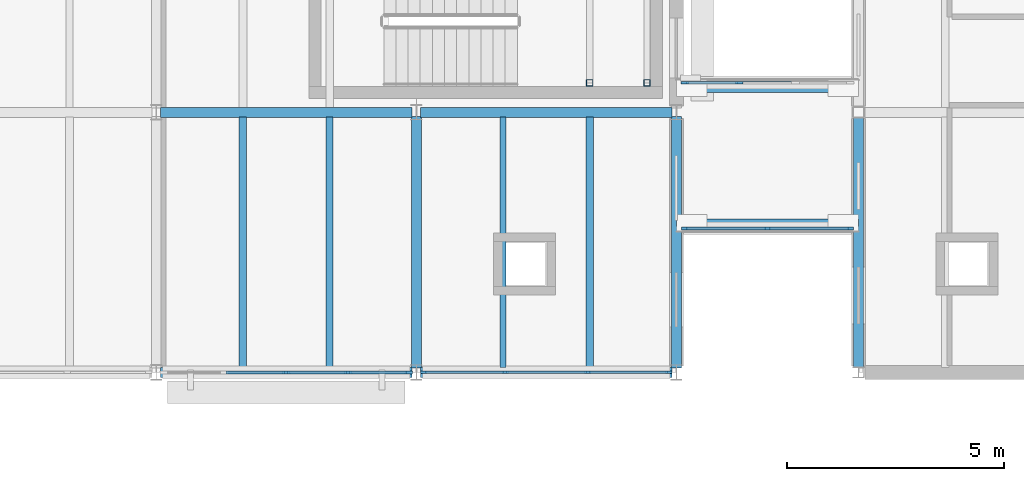
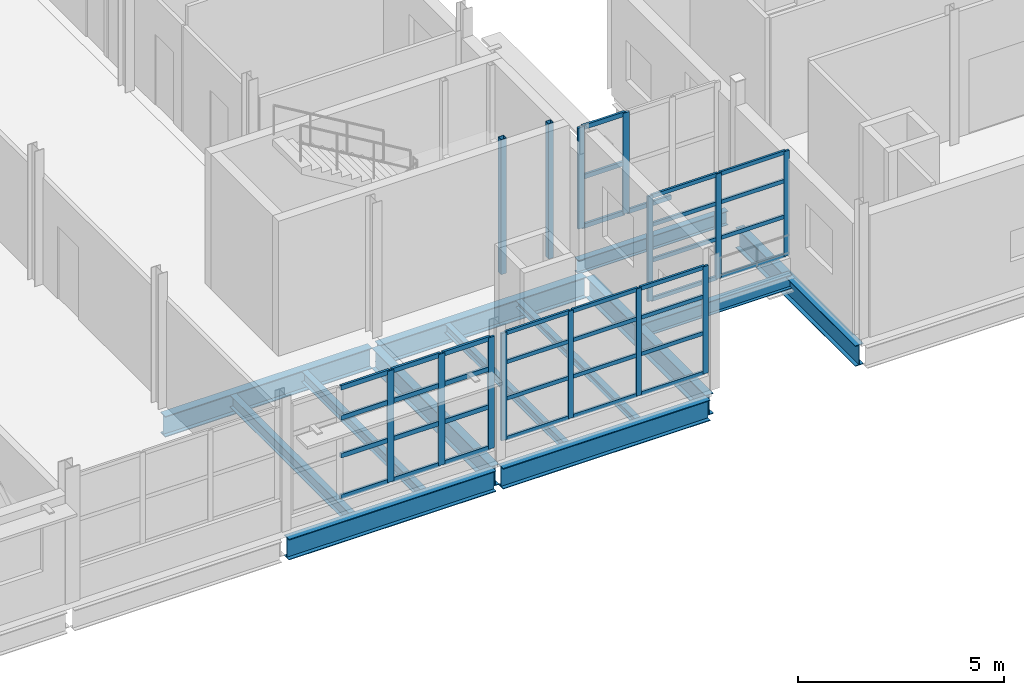
# One storey, part 23 of 92: 50 members, 13 beams, 4 elements without a shape of their own.
"""IFC4 building model written with IfcOpenShell, lengths in metres."""

import ifcopenshell
import ifcopenshell.guid

model = None  # the IFC model being written
_history = None  # IfcOwnerHistory: only IFC2X3 demands one
_inside = {}  # id of a spatial element -> (the spatial element, [elements in it])
_under = {}  # id of a project, library or spatial element -> (it, [spatial elements below it])
_declared = {}  # id of a project -> (the project, [libraries it declares])
_typed = {}  # id of a type object -> (the type object, [elements of that type])
_made_of = {}  # id of a material, layer set ... -> (it, [elements and type objects made of it])


def new_model(schema):
    """Start an empty IFC model of exactly this schema.

    Asked for "IFC4X3", IfcOpenShell would pick the latest addendum, in which some entities
    have other attributes; the version numbers below select the first issue.
    IFC2X3 requires an IfcOwnerHistory on every rooted entity: one is made here for all.
    """
    global model, _history
    if schema == "IFC4X3":
        model = ifcopenshell.file(schema_version=(4, 3, 0, 0))
    else:
        model = ifcopenshell.file(schema=schema)
    _inside.clear()
    _under.clear()
    _declared.clear()
    _typed.clear()
    _made_of.clear()
    _history = None
    if model.schema == "IFC2X3":
        org = make("IfcOrganization", Name="unknown")
        user = make(
            "IfcPersonAndOrganization",
            ThePerson=make("IfcPerson", FamilyName="unknown"),
            TheOrganization=org,
        )
        app = make(
            "IfcApplication",
            ApplicationDeveloper=org,
            Version="unknown",
            ApplicationFullName="unknown",
            ApplicationIdentifier="unknown",
        )
        _history = make(
            "IfcOwnerHistory",
            OwningUser=user,
            OwningApplication=app,
            ChangeAction="ADDED",
            CreationDate=0,
        )
    return model


def make(cls, **values):
    """One entity of the class cls with the attributes given. An attribute that is None is left unset."""
    return model.create_entity(
        cls, **{name: value for name, value in values.items() if value is not None}
    )


def rooted(cls, **values):
    """An entity with a GlobalId (a new one), such as an element, a storey or a relation."""
    return make(cls, GlobalId=ifcopenshell.guid.new(), OwnerHistory=_history, **values)


def si_unit(unit_type, name, prefix=None):
    """IfcSIUnit, for example si_unit("LENGTHUNIT", "METRE", prefix="MILLI")."""
    return make("IfcSIUnit", UnitType=unit_type, Prefix=prefix, Name=name)


def assignment(units):
    """IfcUnitAssignment: the units of a project."""
    return None if units is None else make("IfcUnitAssignment", Units=units)


def point(xyz):
    """IfcCartesianPoint."""
    return None if xyz is None else make("IfcCartesianPoint", Coordinates=xyz)


def direction(xyz):
    """IfcDirection."""
    return None if xyz is None else make("IfcDirection", DirectionRatios=xyz)


def frame(location, z_axis=None, x_axis=None):
    """IfcAxis2Placement3D, a coordinate frame: its origin and axes. An axis left out is left unset."""
    return make(
        "IfcAxis2Placement3D",
        Location=point(location),
        Axis=direction(z_axis),
        RefDirection=direction(x_axis),
    )


def frame_2d(location, x_axis=None):
    """IfcAxis2Placement2D, a coordinate frame in the plane: its origin and x axis."""
    return make(
        "IfcAxis2Placement2D", Location=point(location), RefDirection=direction(x_axis)
    )


def origin():
    """The frame at (0, 0, 0) with its axes left unset."""
    return frame((0.0, 0.0, 0.0))


def origin_2d():
    """The frame at (0, 0) in the plane with its x axis left unset."""
    return frame_2d((0.0, 0.0))


def place(relative_to, where):
    """IfcLocalPlacement: puts the frame where relative to a parent placement (None: the world)."""
    return make(
        "IfcLocalPlacement", PlacementRelTo=relative_to, RelativePlacement=where
    )


def context(
    kind, dimensions, precision=None, world=None, true_north=None, identifier=None
):
    """IfcGeometricRepresentationContext, for example the 3D "Model" context."""
    return make(
        "IfcGeometricRepresentationContext",
        ContextIdentifier=identifier,
        ContextType=kind,
        CoordinateSpaceDimension=dimensions,
        Precision=precision,
        WorldCoordinateSystem=world,
        TrueNorth=true_north,
    )


def subcontext(parent, identifier, kind, view, scale=None):
    """IfcGeometricRepresentationSubContext, for example "Body" below "Model"."""
    return make(
        "IfcGeometricRepresentationSubContext",
        ContextIdentifier=identifier,
        ContextType=kind,
        ParentContext=parent,
        TargetScale=scale,
        TargetView=view,
    )


def project(units=None, contexts=None):
    """IfcProject with its units and contexts."""
    return rooted(
        "IfcProject",
        Name="project",
        RepresentationContexts=contexts,
        UnitsInContext=assignment(units),
    )


def spatial(cls, under=None, at=None, **own):
    """A site, building, storey or space (cls), placed at a placement, below another one or the project."""
    s = rooted(cls, ObjectPlacement=at, **own)
    if under is not None:
        _under.setdefault(under.id(), (under, []))[1].append(s)
    return s


def profile(cls, at=None, kind="AREA", **sizes):
    """A parametric profile (cls). Its sizes go by their IFC names, for example OverallWidth=200.0."""
    return make(cls, ProfileType=kind, Position=at, **sizes)


def rectangle(**sizes):
    """IfcRectangleProfileDef."""
    return profile("IfcRectangleProfileDef", **sizes)


def hollow_rectangle(**sizes):
    """IfcRectangleHollowProfileDef."""
    return profile("IfcRectangleHollowProfileDef", **sizes)


def i_section(**sizes):
    """IfcIShapeProfileDef."""
    return profile("IfcIShapeProfileDef", **sizes)


def extrude(swept, where, along, depth):
    """IfcExtrudedAreaSolid: the profile swept, set in the frame where, extruded along a direction by depth."""
    return make(
        "IfcExtrudedAreaSolid",
        SweptArea=swept,
        Position=where,
        ExtrudedDirection=direction(along),
        Depth=depth,
    )


def shape(context_of_items, identifier, shape_type, items):
    """IfcShapeRepresentation: the items that make up one representation, for example the "Body"."""
    return make(
        "IfcShapeRepresentation",
        ContextOfItems=context_of_items,
        RepresentationIdentifier=identifier,
        RepresentationType=shape_type,
        Items=items,
    )


def material(Name=None, Category=None):
    """IfcMaterial."""
    return make("IfcMaterial", Name=Name, Category=Category)


def material_profile(
    of_material, cross_section, Name=None, Category=None, Priority=None
):
    """IfcMaterialProfile: a cross section and its material."""
    return make(
        "IfcMaterialProfile",
        Name=Name,
        Material=of_material,
        Profile=cross_section,
        Priority=Priority,
        Category=Category,
    )


def profile_set(profiles, Name=None, composite=None):
    """IfcMaterialProfileSet."""
    return make(
        "IfcMaterialProfileSet",
        Name=Name,
        MaterialProfiles=profiles,
        CompositeProfile=composite,
    )


def made_of(thing, what):
    """Note that an element or type object is made of a material, layer set ...; save() writes the relation."""
    if what is not None:
        _made_of.setdefault(what.id(), (what, []))[1].append(thing)
    return thing


def type_object(cls, material=None, **own):
    """A type object (cls), such as IfcWallType, which elements share."""
    return made_of(rooted(cls, **own), material)


def element(
    cls,
    number,
    at=None,
    inside=None,
    cuts=None,
    type_object=None,
    material=None,
    context=None,
    identifier="Body",
    shape_type=None,
    held_by="IfcProductDefinitionShape",
    body=None,
    shapes=None,
    **own,
):
    """One element of the class cls, such as IfcWall. Its Tag is "e" and its number.

    at: its placement. inside: the storey or other place that contains it. cuts: it is an
    opening in that element (IfcRelVoidsElement). A single representation is given by context,
    identifier, shape_type and body (its items); several are given by shapes. held_by: the class
    of the entity that holds the representations. save() writes the other relations.
    """
    e = rooted(cls, Tag="e%d" % number, ObjectPlacement=at, **own)
    if body is not None:
        shapes = [shape(context, identifier, shape_type, body)]
    if shapes is not None:
        e.Representation = make(held_by, Representations=shapes)
    if inside is not None:
        _inside.setdefault(inside.id(), (inside, []))[1].append(e)
    if cuts is not None:
        rooted(
            "IfcRelVoidsElement", RelatingBuildingElement=cuts, RelatedOpeningElement=e
        )
    if type_object is not None:
        _typed.setdefault(type_object.id(), (type_object, []))[1].append(e)
    return made_of(e, material)


def aggregate(whole, parts):
    """IfcRelAggregates: a whole, such as a stair, and the parts it consists of."""
    return rooted("IfcRelAggregates", RelatingObject=whole, RelatedObjects=parts)


def save(model, path):
    """Write the relations noted so far, then the file.

    IfcRelAggregates (storeys below a building ...), IfcRelContainedInSpatialStructure (elements
    in a storey), IfcRelDefinesByType, IfcRelAssociatesMaterial and IfcRelDeclares: one each for
    every whole, place, type object, material and project.
    """
    for whole, parts in _under.values():
        aggregate(whole, parts)
    for where, things in _inside.values():
        rooted(
            "IfcRelContainedInSpatialStructure",
            RelatedElements=things,
            RelatingStructure=where,
        )
    for kind, things in _typed.values():
        rooted("IfcRelDefinesByType", RelatedObjects=things, RelatingType=kind)
    for what, things in _made_of.values():
        rooted("IfcRelAssociatesMaterial", RelatedObjects=things, RelatingMaterial=what)
    for by, libraries in _declared.values():
        rooted("IfcRelDeclares", RelatingContext=by, RelatedDefinitions=libraries)
    model.write(path)


model = new_model("IFC4")

# Units and contexts
model_context = context("Model", 3, precision=1e-05, world=origin(), true_north=direction((0.0, 1.0)))
body_context = subcontext(model_context, "Body", "Model", "MODEL_VIEW")
ifc_project = project(units=[si_unit("LENGTHUNIT", "METRE"), si_unit("AREAUNIT", "SQUARE_METRE"), si_unit("VOLUMEUNIT", "CUBIC_METRE"), si_unit("PLANEANGLEUNIT", "RADIAN"), si_unit("MASSUNIT", "GRAM", prefix="KILO")], contexts=[model_context])

# Site, building, storey
site_placement = place(None, origin())
site = spatial("IfcSite", under=ifc_project, at=site_placement, CompositionType="ELEMENT")
building_placement = place(site_placement, origin())
building = spatial("IfcBuilding", under=site, at=building_placement, Name="Siltcreek Boulevard Central Fire Station", CompositionType="ELEMENT")
storey_placement = place(building_placement, frame((0.0, 0.0, 6.0)))
storey = spatial("IfcBuildingStorey", under=building, at=storey_placement, Name="L02", CompositionType="ELEMENT", Elevation=6.0)

# Beams
ifc_material_1 = material(Name="Structural steel ASTM A992 Gr50", Category="steel")
ifc_material_profile_1 = material_profile(ifc_material_1, i_section(OverallWidth=0.178955078125, OverallDepth=0.409912109375, WebThickness=0.0087890625, FlangeThickness=0.014404296875, at=origin_2d()), Name="W410X67")
ifc_profile_set_1 = profile_set([ifc_material_profile_1], Name="Structural steel ASTM A992 Gr50")
beam_type_1 = type_object("IfcBeamType", Name="BM_W410X67", PredefinedType="BEAM", material=ifc_profile_set_1)
for number, where, z_axis, x_axis, name in (
    (1, (108.0, 21.449951171875, -0.425048828125), (1.0, 0.0, 0.0), (0.0, 1.0, 0.0), "L02 PTFE-seated link bridge girder LBG-01"),
    (2, (108.0, 24.550048828125, -0.425048828125), (1.0, 0.0, 0.0), (0.0, 1.0, 0.0), "L02 PTFE-seated link bridge girder LBG-02"),
):
    element("IfcBeam", number, at=place(storey_placement, frame(where, z_axis=z_axis, x_axis=x_axis)), inside=storey, type_object=beam_type_1, Name=name, PredefinedType="BEAM", context=body_context, shape_type="SweptSolid", body=[
        extrude(i_section(OverallWidth=0.178955078125, OverallDepth=0.409912109375, WebThickness=0.0087890625, FlangeThickness=0.014404296875, at=origin_2d()), origin(), (0.0, 0.0, 1.0), 4.199951171875),
    ])
ifc_material_profile_2 = material_profile(ifc_material_1, i_section(OverallWidth=0.22802734375, OverallDepth=0.60791015625, WebThickness=0.01123046875, FlangeThickness=0.017333984375, at=origin_2d()), Name="W610X113")
ifc_profile_set_2 = profile_set([ifc_material_profile_2], Name="Structural steel ASTM A992 Gr50")
beam_type_2 = type_object("IfcBeamType", Name="BM_W610X113", PredefinedType="BEAM", material=ifc_profile_set_2)
for number, where, z_axis, x_axis, name in (
    (3, (102.0, 18.10009765625, -0.6240234375), (0.0, 1.0, 0.0), (-1.0, 0.0, 0.0), "L02 primary steel girder GY-0105"),
    (4, (108.0, 18.10009765625, -0.6240234375), (0.0, 1.0, 0.0), (-1.0, 0.0, 0.0), "L02 primary steel girder GY-0110"),
    (5, (112.199951171875, 18.10009765625, -0.6240234375), (0.0, 1.0, 0.0), (-1.0, 0.0, 0.0), "L02 primary steel girder GY-0276"),
):
    element("IfcBeam", number, at=place(storey_placement, frame(where, z_axis=z_axis, x_axis=x_axis)), inside=storey, type_object=beam_type_2, Name=name, PredefinedType="BEAM", context=body_context, shape_type="SweptSolid", body=[
        extrude(i_section(OverallWidth=0.22802734375, OverallDepth=0.60791015625, WebThickness=0.01123046875, FlangeThickness=0.017333984375, at=origin_2d()), origin(), (0.0, 0.0, 1.0), 5.7998046875),
    ])
ifc_material_profile_3 = material_profile(ifc_material_1, i_section(OverallWidth=0.22998046875, OverallDepth=0.616943359375, WebThickness=0.01318359375, FlangeThickness=0.022216796875, at=origin_2d()), Name="W610X140")
ifc_profile_set_3 = profile_set([ifc_material_profile_3], Name="Structural steel ASTM A992 Gr50")
beam_type_3 = type_object("IfcBeamType", Name="BM_W610X140", PredefinedType="BEAM", material=ifc_profile_set_3)
for number, where, z_axis, x_axis, name in (
    (6, (96.10009765625, 18.0, -0.62841796875), (1.0, 0.0, 0.0), (0.0, 1.0, 0.0), "L02 primary steel girder GX-0049"),
    (7, (102.10009765625, 18.0, -0.62841796875), (1.0, 0.0, 0.0), (0.0, 1.0, 0.0), "L02 primary steel girder GX-0050"),
    (8, (96.10009765625, 24.0, -0.62841796875), (1.0, 0.0, 0.0), (0.0, 1.0, 0.0), "L02 primary steel girder GX-0056"),
    (9, (102.10009765625, 24.0, -0.62841796875), (1.0, 0.0, 0.0), (0.0, 1.0, 0.0), "L02 primary steel girder GX-0057"),
):
    element("IfcBeam", number, at=place(storey_placement, frame(where, z_axis=z_axis, x_axis=x_axis)), inside=storey, type_object=beam_type_3, Name=name, PredefinedType="BEAM", context=body_context, shape_type="SweptSolid", body=[
        extrude(i_section(OverallWidth=0.22998046875, OverallDepth=0.616943359375, WebThickness=0.01318359375, FlangeThickness=0.022216796875, at=origin_2d()), origin(), (0.0, 0.0, 1.0), 5.7998046875),
    ])

# Members
ifc_material_2 = material(Name="Structural steel ASTM A500 GrC", Category="steel")
ifc_material_profile_4 = material_profile(ifc_material_2, hollow_rectangle(XDim=0.14990234375, YDim=0.14990234375, WallThickness=0.008056640625, at=origin_2d()), Name="HSS150X150X8.0")
ifc_profile_set_4 = profile_set([ifc_material_profile_4], Name="Structural steel ASTM A500 GrC")
member_type_1 = type_object("IfcMemberType", Name="BR_HSS150_8", PredefinedType="BRACE", material=ifc_profile_set_4)
for number, where, z_axis, x_axis, name in (
    (10, (106.0, 24.679931640625, 0.0), (0.0, 0.0, 1.0), (1.0, 0.0, 0.0), "L02 ST-V2B stair landing corner post SW"),
    (11, (107.320068359375, 24.679931640625, 0.0), (0.0, 0.0, 1.0), (1.0, 0.0, 0.0), "L02 ST-V2B stair landing corner post SE"),
):
    element("IfcMember", number, at=place(storey_placement, frame(where, z_axis=z_axis, x_axis=x_axis)), inside=storey, type_object=member_type_1, Name=name, PredefinedType="BRACE", context=body_context, shape_type="SweptSolid", body=[
        extrude(hollow_rectangle(XDim=0.14990234375, YDim=0.14990234375, WallThickness=0.008056640625, at=origin_2d()), origin(), (0.0, 0.0, 1.0), 4.0),
    ])

# Curtain wall, members
ifc_material_3 = material(Name="Anodized aluminum and low-E insulated glazing", Category="aluminium")
curtain_wall_type_1 = type_object("IfcCurtainWallType", Name="CW_SYS_26", PredefinedType="USERDEFINED", material=ifc_material_3)
curtain_wall_1_placement = place(storey_placement, origin())
curtain_wall_1 = element("IfcCurtainWall", 12, at=curtain_wall_1_placement, inside=storey, type_object=curtain_wall_type_1, Name="L02 V2 unitised curtain wall CW-025", ObjectType="CURTAIN WALL", PredefinedType="USERDEFINED")
ifc_material_4 = material(Name="Anodized 6063-T6 aluminum framing", Category="aluminium")
ifc_material_profile_5 = material_profile(ifc_material_4, rectangle(XDim=0.06005859375, YDim=0.14990234375, at=origin_2d()), Name="MULL60X150")
ifc_profile_set_5 = profile_set([ifc_material_profile_5], Name="Anodized 6063-T6 aluminum framing")
member_type_2 = type_object("IfcMemberType", Name="CWM_60X150", PredefinedType="MULLION", material=ifc_profile_set_5)
member_1_placement = place(storey_placement, frame((102.175048828125, 18.0, 0.43994140625), z_axis=(0.0, 0.0, 1.0), x_axis=(0.0, 1.0, 0.0)))
member_1 = element("IfcMember", 13, at=member_1_placement, type_object=member_type_2, Name="CW-025 mullion 1", PredefinedType="MULLION", context=body_context, shape_type="SweptSolid", body=[
    extrude(rectangle(XDim=0.06005859375, YDim=0.14990234375, at=origin_2d()), origin(), (0.0, 0.0, 1.0), 3.178955078125),
])
member_2_placement = place(storey_placement, frame((104.04833984375, 18.0, 0.43994140625), z_axis=(0.0, 0.0, 1.0), x_axis=(0.0, 1.0, 0.0)))
member_2 = element("IfcMember", 14, at=member_2_placement, type_object=member_type_2, Name="CW-025 mullion 2", PredefinedType="MULLION", context=body_context, shape_type="SweptSolid", body=[
    extrude(rectangle(XDim=0.06005859375, YDim=0.14990234375, at=origin_2d()), origin(), (0.0, 0.0, 1.0), 3.178955078125),
])
member_3_placement = place(storey_placement, frame((105.95166015625, 18.0, 0.43994140625), z_axis=(0.0, 0.0, 1.0), x_axis=(0.0, 1.0, 0.0)))
member_3 = element("IfcMember", 15, at=member_3_placement, type_object=member_type_2, Name="CW-025 mullion 3", PredefinedType="MULLION", context=body_context, shape_type="SweptSolid", body=[
    extrude(rectangle(XDim=0.06005859375, YDim=0.14990234375, at=origin_2d()), origin(), (0.0, 0.0, 1.0), 3.178955078125),
])
member_4_placement = place(storey_placement, frame((107.824951171875, 18.0, 0.43994140625), z_axis=(0.0, 0.0, 1.0), x_axis=(0.0, 1.0, 0.0)))
member_4 = element("IfcMember", 16, at=member_4_placement, type_object=member_type_2, Name="CW-025 mullion 4", PredefinedType="MULLION", context=body_context, shape_type="SweptSolid", body=[
    extrude(rectangle(XDim=0.06005859375, YDim=0.14990234375, at=origin_2d()), origin(), (0.0, 0.0, 1.0), 3.178955078125),
])

curtain_wall_type_2 = type_object("IfcCurtainWallType", Name="CW_SYS_14", PredefinedType="USERDEFINED", material=ifc_material_3)
curtain_wall_2_placement = place(storey_placement, origin())
curtain_wall_2 = element("IfcCurtainWall", 17, at=curtain_wall_2_placement, inside=storey, type_object=curtain_wall_type_2, Name="L02 V6 unitised curtain wall CW-193", ObjectType="CURTAIN WALL", PredefinedType="USERDEFINED")
member_5_placement = place(storey_placement, frame((108.18994140625, 21.320068359375, 0.43994140625), z_axis=(0.0, 0.0, 1.0), x_axis=(0.0, 1.0, 0.0)))
member_5 = element("IfcMember", 18, at=member_5_placement, type_object=member_type_2, Name="CW-193 mullion 1", PredefinedType="MULLION", context=body_context, shape_type="SweptSolid", body=[
    extrude(rectangle(XDim=0.06005859375, YDim=0.14990234375, at=origin_2d()), origin(), (0.0, 0.0, 1.0), 3.110107421875),
])
member_6_placement = place(storey_placement, frame((110.10009765625, 21.320068359375, 0.43994140625), z_axis=(0.0, 0.0, 1.0), x_axis=(0.0, 1.0, 0.0)))
member_6 = element("IfcMember", 19, at=member_6_placement, type_object=member_type_2, Name="CW-193 mullion 2", PredefinedType="MULLION", context=body_context, shape_type="SweptSolid", body=[
    extrude(rectangle(XDim=0.06005859375, YDim=0.14990234375, at=origin_2d()), origin(), (0.0, 0.0, 1.0), 3.110107421875),
])
member_7_placement = place(storey_placement, frame((112.010009765625, 21.320068359375, 0.43994140625), z_axis=(0.0, 0.0, 1.0), x_axis=(0.0, 1.0, 0.0)))
member_7 = element("IfcMember", 20, at=member_7_placement, type_object=member_type_2, Name="CW-193 mullion 3", PredefinedType="MULLION", context=body_context, shape_type="SweptSolid", body=[
    extrude(rectangle(XDim=0.06005859375, YDim=0.14990234375, at=origin_2d()), origin(), (0.0, 0.0, 1.0), 3.110107421875),
])

curtain_wall_type_3 = type_object("IfcCurtainWallType", Name="CW_SYS_25", PredefinedType="USERDEFINED", material=ifc_material_3)
curtain_wall_3_placement = place(storey_placement, origin())
curtain_wall_3 = element("IfcCurtainWall", 21, at=curtain_wall_3_placement, inside=storey, type_object=curtain_wall_type_3, Name="L02 V2 unitised curtain wall CW-024", ObjectType="CURTAIN WALL", PredefinedType="USERDEFINED")
ifc_material_profile_6 = material_profile(ifc_material_4, rectangle(XDim=0.06494140625, YDim=0.175048828125, at=origin_2d()), Name="MULL65X175")
ifc_profile_set_6 = profile_set([ifc_material_profile_6], Name="Anodized 6063-T6 aluminum framing")
member_type_3 = type_object("IfcMemberType", Name="CWM_65X175", PredefinedType="MULLION", material=ifc_profile_set_6)
member_8_placement = place(storey_placement, frame((99.0, 18.0, 0.320068359375), z_axis=(0.0, 0.0, 1.0), x_axis=(0.0, 1.0, 0.0)))
member_8 = element("IfcMember", 22, at=member_8_placement, type_object=member_type_3, Name="CW-024 mullion 3", PredefinedType="MULLION", context=body_context, shape_type="SweptSolid", body=[
    extrude(rectangle(XDim=0.06494140625, YDim=0.175048828125, at=origin_2d()), origin(), (0.0, 0.0, 1.0), 3.298828125),
])
member_9_placement = place(storey_placement, frame((100.427490234375, 18.0, 0.320068359375), z_axis=(0.0, 0.0, 1.0), x_axis=(0.0, 1.0, 0.0)))
member_9 = element("IfcMember", 23, at=member_9_placement, type_object=member_type_3, Name="CW-024 mullion 4", PredefinedType="MULLION", context=body_context, shape_type="SweptSolid", body=[
    extrude(rectangle(XDim=0.06494140625, YDim=0.175048828125, at=origin_2d()), origin(), (0.0, 0.0, 1.0), 3.298828125),
])
member_10_placement = place(storey_placement, frame((101.822509765625, 18.0, 0.320068359375), z_axis=(0.0, 0.0, 1.0), x_axis=(0.0, 1.0, 0.0)))
member_10 = element("IfcMember", 24, at=member_10_placement, type_object=member_type_3, Name="CW-024 mullion 5", PredefinedType="MULLION", context=body_context, shape_type="SweptSolid", body=[
    extrude(rectangle(XDim=0.06494140625, YDim=0.175048828125, at=origin_2d()), origin(), (0.0, 0.0, 1.0), 3.298828125),
])

curtain_wall_type_4 = type_object("IfcCurtainWallType", Name="CW_SYS_15", PredefinedType="USERDEFINED", material=ifc_material_3)
curtain_wall_4_placement = place(storey_placement, origin())
curtain_wall_4 = element("IfcCurtainWall", 25, at=curtain_wall_4_placement, inside=storey, type_object=curtain_wall_type_4, Name="L02 V6 unitised curtain wall CW-194", ObjectType="CURTAIN WALL", PredefinedType="USERDEFINED")
member_11_placement = place(storey_placement, frame((109.453369140625, 24.679931640625, 0.56005859375), z_axis=(0.0, 0.0, 1.0), x_axis=(0.0, -1.0, 0.0)))
member_11 = element("IfcMember", 26, at=member_11_placement, type_object=member_type_3, Name="CW-194 mullion 3", PredefinedType="MULLION", context=body_context, shape_type="SweptSolid", body=[
    extrude(rectangle(XDim=0.06494140625, YDim=0.175048828125, at=origin_2d()), origin(), (0.0, 0.0, 1.0), 2.989990234375),
])
member_12_placement = place(storey_placement, frame((108.1923828125, 24.679931640625, 0.56005859375), z_axis=(0.0, 0.0, 1.0), x_axis=(0.0, -1.0, 0.0)))
member_12 = element("IfcMember", 27, at=member_12_placement, type_object=member_type_3, Name="CW-194 mullion 4", PredefinedType="MULLION", context=body_context, shape_type="SweptSolid", body=[
    extrude(rectangle(XDim=0.06494140625, YDim=0.175048828125, at=origin_2d()), origin(), (0.0, 0.0, 1.0), 2.989990234375),
])

# Member
ifc_material_profile_7 = material_profile(ifc_material_4, rectangle(XDim=0.06005859375, YDim=0.114990234375, at=origin_2d()), Name="TRAN60X115")
ifc_profile_set_7 = profile_set([ifc_material_profile_7], Name="Anodized 6063-T6 aluminum framing")
member_type_4 = type_object("IfcMemberType", Name="CWT_60X115", PredefinedType="USERDEFINED", material=ifc_profile_set_7)
member_13_placement = place(storey_placement, frame((102.205078125, 18.0, 0.469970703125), z_axis=(1.0, 0.0, 0.0), x_axis=(0.0, 1.0, 0.0)))
member_13 = element("IfcMember", 28, at=member_13_placement, type_object=member_type_4, Name="CW-025 transom 1.1", ObjectType="TRANSOM", PredefinedType="USERDEFINED", context=body_context, shape_type="SweptSolid", body=[
    extrude(rectangle(XDim=0.06005859375, YDim=0.114990234375, at=origin_2d()), origin(), (0.0, 0.0, 1.0), 1.813232421875),
])

member_14_placement = place(storey_placement, frame((102.205078125, 18.0, 1.64794921875), z_axis=(1.0, 0.0, 0.0), x_axis=(0.0, 1.0, 0.0)))
member_14 = element("IfcMember", 29, at=member_14_placement, type_object=member_type_4, Name="CW-025 transom 1.2", ObjectType="TRANSOM", PredefinedType="USERDEFINED", context=body_context, shape_type="SweptSolid", body=[
    extrude(rectangle(XDim=0.06005859375, YDim=0.114990234375, at=origin_2d()), origin(), (0.0, 0.0, 1.0), 1.813232421875),
])

member_15_placement = place(storey_placement, frame((102.205078125, 18.0, 2.72900390625), z_axis=(1.0, 0.0, 0.0), x_axis=(0.0, 1.0, 0.0)))
member_15 = element("IfcMember", 30, at=member_15_placement, type_object=member_type_4, Name="CW-025 transom 1.3", ObjectType="TRANSOM", PredefinedType="USERDEFINED", context=body_context, shape_type="SweptSolid", body=[
    extrude(rectangle(XDim=0.06005859375, YDim=0.114990234375, at=origin_2d()), origin(), (0.0, 0.0, 1.0), 1.813232421875),
])

member_16_placement = place(storey_placement, frame((102.205078125, 18.0, 3.589111328125), z_axis=(1.0, 0.0, 0.0), x_axis=(0.0, 1.0, 0.0)))
member_16 = element("IfcMember", 31, at=member_16_placement, type_object=member_type_4, Name="CW-025 transom 1.4", ObjectType="TRANSOM", PredefinedType="USERDEFINED", context=body_context, shape_type="SweptSolid", body=[
    extrude(rectangle(XDim=0.06005859375, YDim=0.114990234375, at=origin_2d()), origin(), (0.0, 0.0, 1.0), 1.813232421875),
])

member_17_placement = place(storey_placement, frame((104.078369140625, 18.0, 0.469970703125), z_axis=(1.0, 0.0, 0.0), x_axis=(0.0, 1.0, 0.0)))
member_17 = element("IfcMember", 32, at=member_17_placement, type_object=member_type_4, Name="CW-025 transom 2.1", ObjectType="TRANSOM", PredefinedType="USERDEFINED", context=body_context, shape_type="SweptSolid", body=[
    extrude(rectangle(XDim=0.06005859375, YDim=0.114990234375, at=origin_2d()), origin(), (0.0, 0.0, 1.0), 1.84326171875),
])

member_18_placement = place(storey_placement, frame((104.078369140625, 18.0, 1.64794921875), z_axis=(1.0, 0.0, 0.0), x_axis=(0.0, 1.0, 0.0)))
member_18 = element("IfcMember", 33, at=member_18_placement, type_object=member_type_4, Name="CW-025 transom 2.2", ObjectType="TRANSOM", PredefinedType="USERDEFINED", context=body_context, shape_type="SweptSolid", body=[
    extrude(rectangle(XDim=0.06005859375, YDim=0.114990234375, at=origin_2d()), origin(), (0.0, 0.0, 1.0), 1.84326171875),
])

member_19_placement = place(storey_placement, frame((104.078369140625, 18.0, 2.72900390625), z_axis=(1.0, 0.0, 0.0), x_axis=(0.0, 1.0, 0.0)))
member_19 = element("IfcMember", 34, at=member_19_placement, type_object=member_type_4, Name="CW-025 transom 2.3", ObjectType="TRANSOM", PredefinedType="USERDEFINED", context=body_context, shape_type="SweptSolid", body=[
    extrude(rectangle(XDim=0.06005859375, YDim=0.114990234375, at=origin_2d()), origin(), (0.0, 0.0, 1.0), 1.84326171875),
])

member_20_placement = place(storey_placement, frame((104.078369140625, 18.0, 3.589111328125), z_axis=(1.0, 0.0, 0.0), x_axis=(0.0, 1.0, 0.0)))
member_20 = element("IfcMember", 35, at=member_20_placement, type_object=member_type_4, Name="CW-025 transom 2.4", ObjectType="TRANSOM", PredefinedType="USERDEFINED", context=body_context, shape_type="SweptSolid", body=[
    extrude(rectangle(XDim=0.06005859375, YDim=0.114990234375, at=origin_2d()), origin(), (0.0, 0.0, 1.0), 1.84326171875),
])

member_21_placement = place(storey_placement, frame((105.981689453125, 18.0, 0.469970703125), z_axis=(1.0, 0.0, 0.0), x_axis=(0.0, 1.0, 0.0)))
member_21 = element("IfcMember", 36, at=member_21_placement, type_object=member_type_4, Name="CW-025 transom 3.1", ObjectType="TRANSOM", PredefinedType="USERDEFINED", context=body_context, shape_type="SweptSolid", body=[
    extrude(rectangle(XDim=0.06005859375, YDim=0.114990234375, at=origin_2d()), origin(), (0.0, 0.0, 1.0), 1.813232421875),
])

member_22_placement = place(storey_placement, frame((105.981689453125, 18.0, 1.64794921875), z_axis=(1.0, 0.0, 0.0), x_axis=(0.0, 1.0, 0.0)))
member_22 = element("IfcMember", 37, at=member_22_placement, type_object=member_type_4, Name="CW-025 transom 3.2", ObjectType="TRANSOM", PredefinedType="USERDEFINED", context=body_context, shape_type="SweptSolid", body=[
    extrude(rectangle(XDim=0.06005859375, YDim=0.114990234375, at=origin_2d()), origin(), (0.0, 0.0, 1.0), 1.813232421875),
])

member_23_placement = place(storey_placement, frame((105.981689453125, 18.0, 2.72900390625), z_axis=(1.0, 0.0, 0.0), x_axis=(0.0, 1.0, 0.0)))
member_23 = element("IfcMember", 38, at=member_23_placement, type_object=member_type_4, Name="CW-025 transom 3.3", ObjectType="TRANSOM", PredefinedType="USERDEFINED", context=body_context, shape_type="SweptSolid", body=[
    extrude(rectangle(XDim=0.06005859375, YDim=0.114990234375, at=origin_2d()), origin(), (0.0, 0.0, 1.0), 1.813232421875),
])

member_24_placement = place(storey_placement, frame((105.981689453125, 18.0, 3.589111328125), z_axis=(1.0, 0.0, 0.0), x_axis=(0.0, 1.0, 0.0)))
member_24 = element("IfcMember", 39, at=member_24_placement, type_object=member_type_4, Name="CW-025 transom 3.4", ObjectType="TRANSOM", PredefinedType="USERDEFINED", context=body_context, shape_type="SweptSolid", body=[
    extrude(rectangle(XDim=0.06005859375, YDim=0.114990234375, at=origin_2d()), origin(), (0.0, 0.0, 1.0), 1.813232421875),
])

aggregate(curtain_wall_1, [member_1, member_2, member_3, member_4, member_13, member_14, member_15, member_16, member_17, member_18, member_19, member_20, member_21, member_22, member_23, member_24])

member_25_placement = place(storey_placement, frame((108.219970703125, 21.320068359375, 0.469970703125), z_axis=(1.0, 0.0, 0.0), x_axis=(0.0, 1.0, 0.0)))
member_25 = element("IfcMember", 40, at=member_25_placement, type_object=member_type_4, Name="CW-193 transom 1.1", ObjectType="TRANSOM", PredefinedType="USERDEFINED", context=body_context, shape_type="SweptSolid", body=[
    extrude(rectangle(XDim=0.06005859375, YDim=0.114990234375, at=origin_2d()), origin(), (0.0, 0.0, 1.0), 1.85009765625),
])

member_26_placement = place(storey_placement, frame((108.219970703125, 21.320068359375, 1.621826171875), z_axis=(1.0, 0.0, 0.0), x_axis=(0.0, 1.0, 0.0)))
member_26 = element("IfcMember", 41, at=member_26_placement, type_object=member_type_4, Name="CW-193 transom 1.2", ObjectType="TRANSOM", PredefinedType="USERDEFINED", context=body_context, shape_type="SweptSolid", body=[
    extrude(rectangle(XDim=0.06005859375, YDim=0.114990234375, at=origin_2d()), origin(), (0.0, 0.0, 1.0), 1.85009765625),
])

member_27_placement = place(storey_placement, frame((108.219970703125, 21.320068359375, 2.67919921875), z_axis=(1.0, 0.0, 0.0), x_axis=(0.0, 1.0, 0.0)))
member_27 = element("IfcMember", 42, at=member_27_placement, type_object=member_type_4, Name="CW-193 transom 1.3", ObjectType="TRANSOM", PredefinedType="USERDEFINED", context=body_context, shape_type="SweptSolid", body=[
    extrude(rectangle(XDim=0.06005859375, YDim=0.114990234375, at=origin_2d()), origin(), (0.0, 0.0, 1.0), 1.85009765625),
])

member_28_placement = place(storey_placement, frame((108.219970703125, 21.320068359375, 3.52001953125), z_axis=(1.0, 0.0, 0.0), x_axis=(0.0, 1.0, 0.0)))
member_28 = element("IfcMember", 43, at=member_28_placement, type_object=member_type_4, Name="CW-193 transom 1.4", ObjectType="TRANSOM", PredefinedType="USERDEFINED", context=body_context, shape_type="SweptSolid", body=[
    extrude(rectangle(XDim=0.06005859375, YDim=0.114990234375, at=origin_2d()), origin(), (0.0, 0.0, 1.0), 1.85009765625),
])

member_29_placement = place(storey_placement, frame((110.1298828125, 21.320068359375, 0.469970703125), z_axis=(1.0, 0.0, 0.0), x_axis=(0.0, 1.0, 0.0)))
member_29 = element("IfcMember", 44, at=member_29_placement, type_object=member_type_4, Name="CW-193 transom 2.1", ObjectType="TRANSOM", PredefinedType="USERDEFINED", context=body_context, shape_type="SweptSolid", body=[
    extrude(rectangle(XDim=0.06005859375, YDim=0.114990234375, at=origin_2d()), origin(), (0.0, 0.0, 1.0), 1.85009765625),
])

member_30_placement = place(storey_placement, frame((110.1298828125, 21.320068359375, 1.621826171875), z_axis=(1.0, 0.0, 0.0), x_axis=(0.0, 1.0, 0.0)))
member_30 = element("IfcMember", 45, at=member_30_placement, type_object=member_type_4, Name="CW-193 transom 2.2", ObjectType="TRANSOM", PredefinedType="USERDEFINED", context=body_context, shape_type="SweptSolid", body=[
    extrude(rectangle(XDim=0.06005859375, YDim=0.114990234375, at=origin_2d()), origin(), (0.0, 0.0, 1.0), 1.85009765625),
])

member_31_placement = place(storey_placement, frame((110.1298828125, 21.320068359375, 2.67919921875), z_axis=(1.0, 0.0, 0.0), x_axis=(0.0, 1.0, 0.0)))
member_31 = element("IfcMember", 46, at=member_31_placement, type_object=member_type_4, Name="CW-193 transom 2.3", ObjectType="TRANSOM", PredefinedType="USERDEFINED", context=body_context, shape_type="SweptSolid", body=[
    extrude(rectangle(XDim=0.06005859375, YDim=0.114990234375, at=origin_2d()), origin(), (0.0, 0.0, 1.0), 1.85009765625),
])

member_32_placement = place(storey_placement, frame((110.1298828125, 21.320068359375, 3.52001953125), z_axis=(1.0, 0.0, 0.0), x_axis=(0.0, 1.0, 0.0)))
member_32 = element("IfcMember", 47, at=member_32_placement, type_object=member_type_4, Name="CW-193 transom 2.4", ObjectType="TRANSOM", PredefinedType="USERDEFINED", context=body_context, shape_type="SweptSolid", body=[
    extrude(rectangle(XDim=0.06005859375, YDim=0.114990234375, at=origin_2d()), origin(), (0.0, 0.0, 1.0), 1.85009765625),
])

aggregate(curtain_wall_2, [member_5, member_6, member_7, member_25, member_26, member_27, member_28, member_29, member_30, member_31, member_32])

ifc_material_profile_8 = material_profile(ifc_material_4, rectangle(XDim=0.06494140625, YDim=0.135009765625, at=origin_2d()), Name="TRAN65X135")
ifc_profile_set_8 = profile_set([ifc_material_profile_8], Name="Anodized 6063-T6 aluminum framing")
member_type_5 = type_object("IfcMemberType", Name="CWT_65X135", PredefinedType="USERDEFINED", material=ifc_profile_set_8)
member_33_placement = place(storey_placement, frame((97.60498046875, 18.0, 0.3525390625), z_axis=(1.0, 0.0, 0.0), x_axis=(0.0, 1.0, 0.0)))
member_33 = element("IfcMember", 48, at=member_33_placement, type_object=member_type_5, Name="CW-024 transom 2.1", ObjectType="TRANSOM", PredefinedType="USERDEFINED", context=body_context, shape_type="SweptSolid", body=[
    extrude(rectangle(XDim=0.06494140625, YDim=0.135009765625, at=origin_2d()), origin(), (0.0, 0.0, 1.0), 1.362548828125),
])

member_34_placement = place(storey_placement, frame((97.60498046875, 18.0, 1.573486328125), z_axis=(1.0, 0.0, 0.0), x_axis=(0.0, 1.0, 0.0)))
member_34 = element("IfcMember", 49, at=member_34_placement, type_object=member_type_5, Name="CW-024 transom 2.2", ObjectType="TRANSOM", PredefinedType="USERDEFINED", context=body_context, shape_type="SweptSolid", body=[
    extrude(rectangle(XDim=0.06494140625, YDim=0.135009765625, at=origin_2d()), origin(), (0.0, 0.0, 1.0), 1.362548828125),
])

member_35_placement = place(storey_placement, frame((97.60498046875, 18.0, 2.6953125), z_axis=(1.0, 0.0, 0.0), x_axis=(0.0, 1.0, 0.0)))
member_35 = element("IfcMember", 50, at=member_35_placement, type_object=member_type_5, Name="CW-024 transom 2.3", ObjectType="TRANSOM", PredefinedType="USERDEFINED", context=body_context, shape_type="SweptSolid", body=[
    extrude(rectangle(XDim=0.06494140625, YDim=0.135009765625, at=origin_2d()), origin(), (0.0, 0.0, 1.0), 1.362548828125),
])

member_36_placement = place(storey_placement, frame((97.60498046875, 18.0, 3.58642578125), z_axis=(1.0, 0.0, 0.0), x_axis=(0.0, 1.0, 0.0)))
member_36 = element("IfcMember", 51, at=member_36_placement, type_object=member_type_5, Name="CW-024 transom 2.4", ObjectType="TRANSOM", PredefinedType="USERDEFINED", context=body_context, shape_type="SweptSolid", body=[
    extrude(rectangle(XDim=0.06494140625, YDim=0.135009765625, at=origin_2d()), origin(), (0.0, 0.0, 1.0), 1.362548828125),
])

member_37_placement = place(storey_placement, frame((99.032470703125, 18.0, 0.3525390625), z_axis=(1.0, 0.0, 0.0), x_axis=(0.0, 1.0, 0.0)))
member_37 = element("IfcMember", 52, at=member_37_placement, type_object=member_type_5, Name="CW-024 transom 3.1", ObjectType="TRANSOM", PredefinedType="USERDEFINED", context=body_context, shape_type="SweptSolid", body=[
    extrude(rectangle(XDim=0.06494140625, YDim=0.135009765625, at=origin_2d()), origin(), (0.0, 0.0, 1.0), 1.362548828125),
])

member_38_placement = place(storey_placement, frame((99.032470703125, 18.0, 1.573486328125), z_axis=(1.0, 0.0, 0.0), x_axis=(0.0, 1.0, 0.0)))
member_38 = element("IfcMember", 53, at=member_38_placement, type_object=member_type_5, Name="CW-024 transom 3.2", ObjectType="TRANSOM", PredefinedType="USERDEFINED", context=body_context, shape_type="SweptSolid", body=[
    extrude(rectangle(XDim=0.06494140625, YDim=0.135009765625, at=origin_2d()), origin(), (0.0, 0.0, 1.0), 1.362548828125),
])

member_39_placement = place(storey_placement, frame((99.032470703125, 18.0, 2.6953125), z_axis=(1.0, 0.0, 0.0), x_axis=(0.0, 1.0, 0.0)))
member_39 = element("IfcMember", 54, at=member_39_placement, type_object=member_type_5, Name="CW-024 transom 3.3", ObjectType="TRANSOM", PredefinedType="USERDEFINED", context=body_context, shape_type="SweptSolid", body=[
    extrude(rectangle(XDim=0.06494140625, YDim=0.135009765625, at=origin_2d()), origin(), (0.0, 0.0, 1.0), 1.362548828125),
])

member_40_placement = place(storey_placement, frame((99.032470703125, 18.0, 3.58642578125), z_axis=(1.0, 0.0, 0.0), x_axis=(0.0, 1.0, 0.0)))
member_40 = element("IfcMember", 55, at=member_40_placement, type_object=member_type_5, Name="CW-024 transom 3.4", ObjectType="TRANSOM", PredefinedType="USERDEFINED", context=body_context, shape_type="SweptSolid", body=[
    extrude(rectangle(XDim=0.06494140625, YDim=0.135009765625, at=origin_2d()), origin(), (0.0, 0.0, 1.0), 1.362548828125),
])

member_41_placement = place(storey_placement, frame((100.4599609375, 18.0, 0.3525390625), z_axis=(1.0, 0.0, 0.0), x_axis=(0.0, 1.0, 0.0)))
member_41 = element("IfcMember", 56, at=member_41_placement, type_object=member_type_5, Name="CW-024 transom 4.1", ObjectType="TRANSOM", PredefinedType="USERDEFINED", context=body_context, shape_type="SweptSolid", body=[
    extrude(rectangle(XDim=0.06494140625, YDim=0.135009765625, at=origin_2d()), origin(), (0.0, 0.0, 1.0), 1.330078125),
])

member_42_placement = place(storey_placement, frame((100.4599609375, 18.0, 1.573486328125), z_axis=(1.0, 0.0, 0.0), x_axis=(0.0, 1.0, 0.0)))
member_42 = element("IfcMember", 57, at=member_42_placement, type_object=member_type_5, Name="CW-024 transom 4.2", ObjectType="TRANSOM", PredefinedType="USERDEFINED", context=body_context, shape_type="SweptSolid", body=[
    extrude(rectangle(XDim=0.06494140625, YDim=0.135009765625, at=origin_2d()), origin(), (0.0, 0.0, 1.0), 1.330078125),
])

member_43_placement = place(storey_placement, frame((100.4599609375, 18.0, 2.6953125), z_axis=(1.0, 0.0, 0.0), x_axis=(0.0, 1.0, 0.0)))
member_43 = element("IfcMember", 58, at=member_43_placement, type_object=member_type_5, Name="CW-024 transom 4.3", ObjectType="TRANSOM", PredefinedType="USERDEFINED", context=body_context, shape_type="SweptSolid", body=[
    extrude(rectangle(XDim=0.06494140625, YDim=0.135009765625, at=origin_2d()), origin(), (0.0, 0.0, 1.0), 1.330078125),
])

member_44_placement = place(storey_placement, frame((100.4599609375, 18.0, 3.58642578125), z_axis=(1.0, 0.0, 0.0), x_axis=(0.0, 1.0, 0.0)))
member_44 = element("IfcMember", 59, at=member_44_placement, type_object=member_type_5, Name="CW-024 transom 4.4", ObjectType="TRANSOM", PredefinedType="USERDEFINED", context=body_context, shape_type="SweptSolid", body=[
    extrude(rectangle(XDim=0.06494140625, YDim=0.135009765625, at=origin_2d()), origin(), (0.0, 0.0, 1.0), 1.330078125),
])

aggregate(curtain_wall_3, [member_8, member_9, member_10, member_33, member_34, member_35, member_36, member_37, member_38, member_39, member_40, member_41, member_42, member_43, member_44])

member_45_placement = place(storey_placement, frame((110.714111328125, 24.679931640625, 0.592529296875), z_axis=(-1.0, 0.0, 0.0), x_axis=(0.0, -1.0, 0.0)))
member_45 = element("IfcMember", 60, at=member_45_placement, type_object=member_type_5, Name="CW-194 transom 2.1", ObjectType="TRANSOM", PredefinedType="USERDEFINED", context=body_context, shape_type="SweptSolid", body=[
    extrude(rectangle(XDim=0.06494140625, YDim=0.135009765625, at=origin_2d()), origin(), (0.0, 0.0, 1.0), 1.228271484375),
])

member_46_placement = place(storey_placement, frame((109.4208984375, 24.679931640625, 0.592529296875), z_axis=(-1.0, 0.0, 0.0), x_axis=(0.0, -1.0, 0.0)))
member_46 = element("IfcMember", 61, at=member_46_placement, type_object=member_type_5, Name="CW-194 transom 3.1", ObjectType="TRANSOM", PredefinedType="USERDEFINED", context=body_context, shape_type="SweptSolid", body=[
    extrude(rectangle(XDim=0.06494140625, YDim=0.135009765625, at=origin_2d()), origin(), (0.0, 0.0, 1.0), 1.19580078125),
])

member_47_placement = place(storey_placement, frame((109.4208984375, 24.679931640625, 2.054931640625), z_axis=(-1.0, 0.0, 0.0), x_axis=(0.0, -1.0, 0.0)))
member_47 = element("IfcMember", 62, at=member_47_placement, type_object=member_type_5, Name="CW-194 transom 3.2", ObjectType="TRANSOM", PredefinedType="USERDEFINED", context=body_context, shape_type="SweptSolid", body=[
    extrude(rectangle(XDim=0.06494140625, YDim=0.135009765625, at=origin_2d()), origin(), (0.0, 0.0, 1.0), 1.19580078125),
])

member_48_placement = place(storey_placement, frame((109.4208984375, 24.679931640625, 3.517578125), z_axis=(-1.0, 0.0, 0.0), x_axis=(0.0, -1.0, 0.0)))
member_48 = element("IfcMember", 63, at=member_48_placement, type_object=member_type_5, Name="CW-194 transom 3.3", ObjectType="TRANSOM", PredefinedType="USERDEFINED", context=body_context, shape_type="SweptSolid", body=[
    extrude(rectangle(XDim=0.06494140625, YDim=0.135009765625, at=origin_2d()), origin(), (0.0, 0.0, 1.0), 1.19580078125),
])

aggregate(curtain_wall_4, [member_11, member_12, member_45, member_46, member_47, member_48])

# Beams
ifc_material_profile_9 = material_profile(ifc_material_1, i_section(OverallWidth=0.1650390625, OverallDepth=0.200927734375, WebThickness=0.006103515625, FlangeThickness=0.01025390625, at=origin_2d()), Name="W200X36")
ifc_profile_set_9 = profile_set([ifc_material_profile_9], Name="Structural steel ASTM A992 Gr50")
beam_type_4 = type_object("IfcBeamType", Name="JST_W200X36", PredefinedType="JOIST", material=ifc_profile_set_9)
beam_1_placement = place(storey_placement, frame((106.0, 18.113037109375, -0.42041015625), z_axis=(0.0, 1.0, 0.0), x_axis=(-1.0, 0.0, 0.0)))
element("IfcBeam", 64, at=beam_1_placement, inside=storey, type_object=beam_type_4, Name="L02 secondary steel floor joist 0042", PredefinedType="JOIST", context=body_context, shape_type="SweptSolid", body=[
    extrude(i_section(OverallWidth=0.1650390625, OverallDepth=0.200927734375, WebThickness=0.006103515625, FlangeThickness=0.01025390625, at=origin_2d()), origin(), (0.0, 0.0, 1.0), 5.77392578125),
])
ifc_material_profile_10 = material_profile(ifc_material_1, i_section(OverallWidth=0.14697265625, OverallDepth=0.261962890625, WebThickness=0.006591796875, FlangeThickness=0.01123046875, at=origin_2d()), Name="W250X39")
ifc_profile_set_10 = profile_set([ifc_material_profile_10], Name="Structural steel ASTM A992 Gr50")
beam_type_5 = type_object("IfcBeamType", Name="JST_W250X39", PredefinedType="JOIST", material=ifc_profile_set_10)
beam_2_placement = place(storey_placement, frame((104.0, 18.113037109375, -0.450927734375), z_axis=(0.0, 1.0, 0.0), x_axis=(-1.0, 0.0, 0.0)))
element("IfcBeam", 65, at=beam_2_placement, inside=storey, type_object=beam_type_5, Name="L02 secondary steel floor joist 0041", PredefinedType="JOIST", context=body_context, shape_type="SweptSolid", body=[
    extrude(i_section(OverallWidth=0.14697265625, OverallDepth=0.261962890625, WebThickness=0.006591796875, FlangeThickness=0.01123046875, at=origin_2d()), origin(), (0.0, 0.0, 1.0), 5.77392578125),
])
ifc_material_profile_11 = material_profile(ifc_material_1, i_section(OverallWidth=0.166015625, OverallDepth=0.31298828125, WebThickness=0.006591796875, FlangeThickness=0.01123046875, at=origin_2d()), Name="W310X45")
ifc_profile_set_11 = profile_set([ifc_material_profile_11], Name="Structural steel ASTM A992 Gr50")
beam_type_6 = type_object("IfcBeamType", Name="JST_W310X45", PredefinedType="JOIST", material=ifc_profile_set_11)
beam_3_placement = place(storey_placement, frame((100.0, 18.113037109375, -0.4765625), z_axis=(0.0, 1.0, 0.0), x_axis=(-1.0, 0.0, 0.0)))
element("IfcBeam", 66, at=beam_3_placement, inside=storey, type_object=beam_type_6, Name="L02 secondary steel floor joist 0040", PredefinedType="JOIST", context=body_context, shape_type="SweptSolid", body=[
    extrude(i_section(OverallWidth=0.166015625, OverallDepth=0.31298828125, WebThickness=0.006591796875, FlangeThickness=0.01123046875, at=origin_2d()), origin(), (0.0, 0.0, 1.0), 5.77392578125),
])
ifc_material_profile_12 = material_profile(ifc_material_1, i_section(OverallWidth=0.172119140625, OverallDepth=0.35791015625, WebThickness=0.0078125, FlangeThickness=0.01318359375, at=origin_2d()), Name="W360X57")
ifc_profile_set_12 = profile_set([ifc_material_profile_12], Name="Structural steel ASTM A992 Gr50")
beam_type_7 = type_object("IfcBeamType", Name="JST_W360X57", PredefinedType="JOIST", material=ifc_profile_set_12)
beam_4_placement = place(storey_placement, frame((98.0, 18.113037109375, -0.4990234375), z_axis=(0.0, 1.0, 0.0), x_axis=(-1.0, 0.0, 0.0)))
element("IfcBeam", 67, at=beam_4_placement, inside=storey, type_object=beam_type_7, Name="L02 secondary steel floor joist 0039", PredefinedType="JOIST", context=body_context, shape_type="SweptSolid", body=[
    extrude(i_section(OverallWidth=0.172119140625, OverallDepth=0.35791015625, WebThickness=0.0078125, FlangeThickness=0.01318359375, at=origin_2d()), origin(), (0.0, 0.0, 1.0), 5.77392578125),
])

save(model, "model.ifc")
